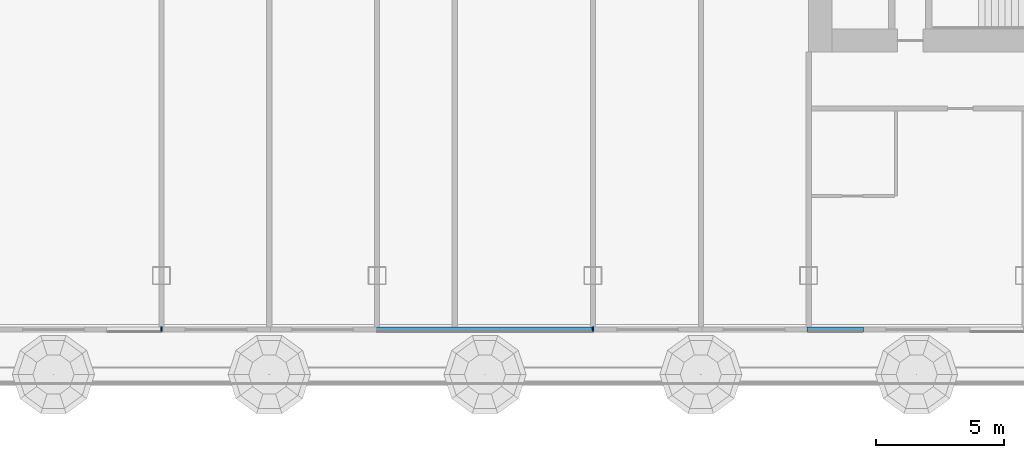
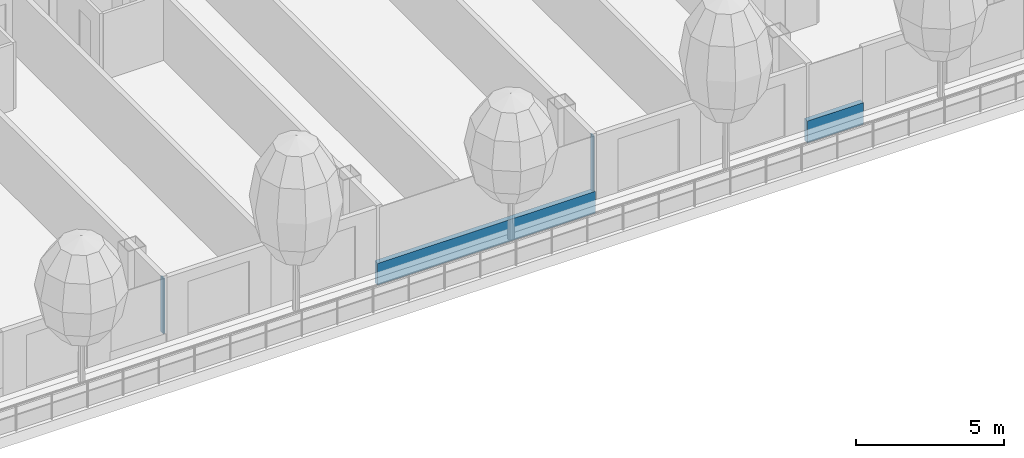
# One storey, part 4 of 30: 4 members, 1 element without a shape of its own.
"""IFC4 building model written with IfcOpenShell, lengths in metres."""

from ifc_helpers import new_model, si_unit, direction, frame, origin, origin_2d, place, context, subcontext, project, spatial, rectangle, extrude, material, layer, layer_set, material_profile, profile_set, type_object, element, aggregate, save


model = new_model("IFC4")

# Units and contexts
model_context = context("Model", 3, precision=1e-05, world=origin(), true_north=direction((0.0, 1.0)))
body_context = subcontext(model_context, "Body", "Model", "MODEL_VIEW")
ifc_project = project(units=[si_unit("LENGTHUNIT", "METRE"), si_unit("AREAUNIT", "SQUARE_METRE"), si_unit("VOLUMEUNIT", "CUBIC_METRE"), si_unit("PLANEANGLEUNIT", "RADIAN"), si_unit("MASSUNIT", "GRAM", prefix="KILO")], contexts=[model_context])

# Site, building, storey
site_placement = place(None, origin())
site = spatial("IfcSite", under=ifc_project, at=site_placement, CompositionType="ELEMENT")
building_placement = place(site_placement, origin())
building = spatial("IfcBuilding", under=site, at=building_placement, Name="Hakoniwa Tower and Hamabe Station Hall", CompositionType="ELEMENT")
storey_placement = place(building_placement, frame((0.0, 0.0, 137.39990234375)))
storey = spatial("IfcBuildingStorey", under=building, at=storey_placement, Name="L38", CompositionType="ELEMENT", Elevation=137.39990234375)

# Curtain wall, members
ifc_material_1 = material(Name="Dark low-e laminated glass", Category="glass")
ifc_layer = layer(ifc_material_1, 0.199951171875)
ifc_layer_set = layer_set([ifc_layer], Name="CW-1 UNITISED GUEST")
curtain_wall_type = type_object("IfcCurtainWallType", Name="CW-1 UNITISED GUEST", PredefinedType="NOTDEFINED", material=ifc_layer_set)
curtain_wall_placement = place(storey_placement, origin())
curtain_wall = element("IfcCurtainWall", 1, at=curtain_wall_placement, inside=storey, type_object=curtain_wall_type, Name="CW-1 curtain wall", PredefinedType="NOTDEFINED")
ifc_material_2 = material(Name="Aluminium 6063-T5 black anodised", Category="aluminium")
ifc_material_profile_1 = material_profile(ifc_material_2, rectangle(XDim=0.199951171875, YDim=0.89990234375, at=origin_2d()), Name="CW SLAB-EDGE BAND 900X200")
ifc_profile_set_1 = profile_set([ifc_material_profile_1], Name="Aluminium 6063-T5 black anodised")
member_type_1 = type_object("IfcMemberType", Name="CW SLAB-EDGE BAND 900X200", PredefinedType="USERDEFINED", material=ifc_profile_set_1)
member_1_placement = place(storey_placement, frame((-0.06005859375, -19.199951171875, -0.099853515625), z_axis=(1.0, 0.0, 0.0), x_axis=(0.0, 1.0, 0.0)))
member_1 = element("IfcMember", 2, at=member_1_placement, type_object=member_type_1, Name="CW-1 transom", ObjectType="TRANSOM", PredefinedType="USERDEFINED", context=body_context, shape_type="SweptSolid", body=[
    extrude(rectangle(XDim=0.199951171875, YDim=0.89990234375, at=origin_2d()), origin(), (0.0, 0.0, 1.0), 8.52001953125),
])
member_2_placement = place(storey_placement, frame((16.739990234375, -19.199951171875, -0.099853515625), z_axis=(1.0, 0.0, 0.0), x_axis=(0.0, 1.0, 0.0)))
member_2 = element("IfcMember", 3, at=member_2_placement, type_object=member_type_1, Name="CW-1 transom", ObjectType="TRANSOM", PredefinedType="USERDEFINED", context=body_context, shape_type="SweptSolid", body=[
    extrude(rectangle(XDim=0.199951171875, YDim=0.89990234375, at=origin_2d()), origin(), (0.0, 0.0, 1.0), 2.18994140625),
])
ifc_material_3 = material(Name="Aluminium 6063-T5 black anodised", Category="aluminium")
ifc_material_profile_2 = material_profile(ifc_material_3, rectangle(XDim=0.06005859375, YDim=0.179931640625, at=origin_2d()), Name="CW-1 MULLION 60X180")
ifc_profile_set_2 = profile_set([ifc_material_profile_2], Name="Aluminium 6063-T5 black anodised")
member_type_2 = type_object("IfcMemberType", Name="CW-1 MULLION 60X180", PredefinedType="MULLION", material=ifc_profile_set_2)
member_3_placement = place(storey_placement, frame((-8.39990234375, -19.181884765625, 0.35009765625), z_axis=(0.0, 0.0, 1.0), x_axis=(1.0, 0.0, 0.0)))
member_3 = element("IfcMember", 4, at=member_3_placement, type_object=member_type_2, Name="CW-1 mullion", PredefinedType="MULLION", context=body_context, shape_type="SweptSolid", body=[
    extrude(rectangle(XDim=0.06005859375, YDim=0.179931640625, at=origin_2d()), origin(), (0.0, 0.0, 1.0), 2.300048828125),
])
member_4_placement = place(storey_placement, frame((8.39990234375, -19.181884765625, 0.35009765625), z_axis=(0.0, 0.0, 1.0), x_axis=(1.0, 0.0, 0.0)))
member_4 = element("IfcMember", 5, at=member_4_placement, type_object=member_type_2, Name="CW-1 mullion", PredefinedType="MULLION", context=body_context, shape_type="SweptSolid", body=[
    extrude(rectangle(XDim=0.06005859375, YDim=0.179931640625, at=origin_2d()), origin(), (0.0, 0.0, 1.0), 2.300048828125),
])
aggregate(curtain_wall, [member_3, member_4, member_1, member_2])

save(model, "model.ifc")
